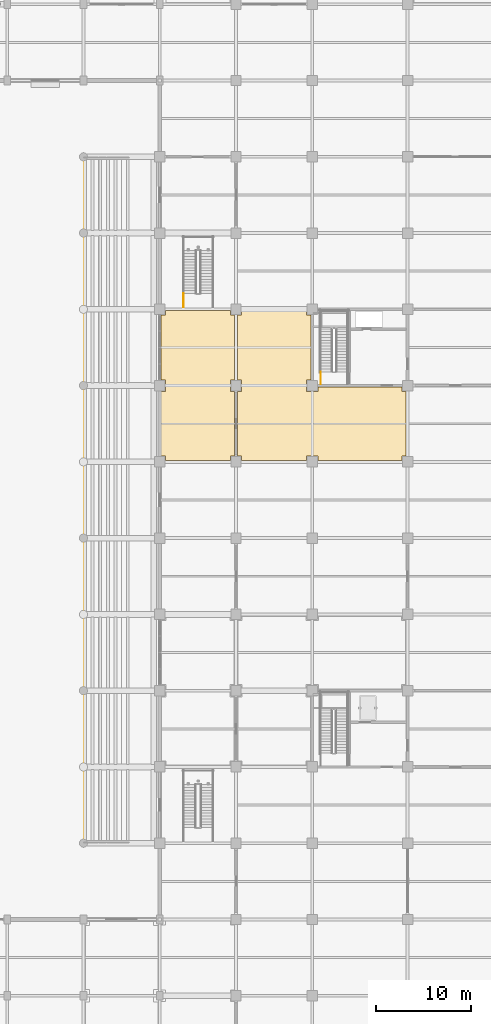
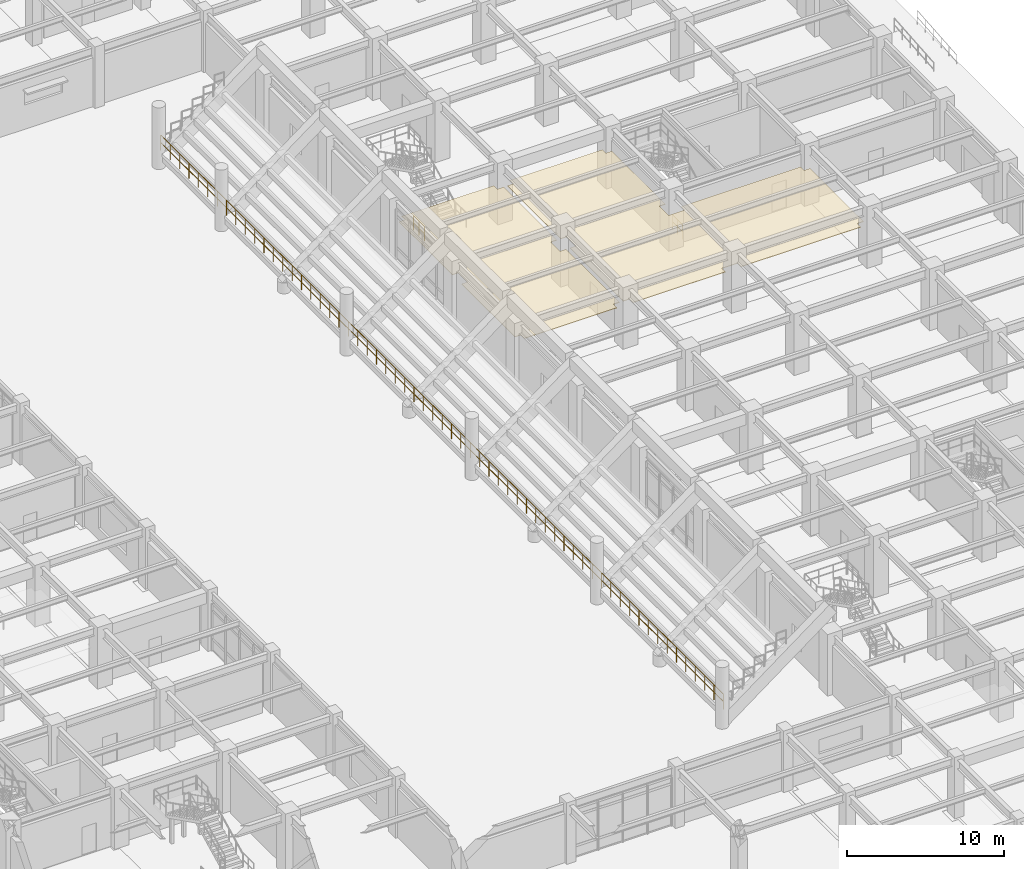
# One storey, part 118 of 125: 3 railings, 2 coverings.
"""IFC4 building model written with IfcOpenShell, lengths in metres."""

import ifcopenshell
import ifcopenshell.guid

model = None  # the IFC model being written
_history = None  # IfcOwnerHistory: only IFC2X3 demands one
_inside = {}  # id of a spatial element -> (the spatial element, [elements in it])
_under = {}  # id of a project, library or spatial element -> (it, [spatial elements below it])
_declared = {}  # id of a project -> (the project, [libraries it declares])
_typed = {}  # id of a type object -> (the type object, [elements of that type])
_made_of = {}  # id of a material, layer set ... -> (it, [elements and type objects made of it])


def new_model(schema):
    """Start an empty IFC model of exactly this schema.

    Asked for "IFC4X3", IfcOpenShell would pick the latest addendum, in which some entities
    have other attributes; the version numbers below select the first issue.
    IFC2X3 requires an IfcOwnerHistory on every rooted entity: one is made here for all.
    """
    global model, _history
    if schema == "IFC4X3":
        model = ifcopenshell.file(schema_version=(4, 3, 0, 0))
    else:
        model = ifcopenshell.file(schema=schema)
    _inside.clear()
    _under.clear()
    _declared.clear()
    _typed.clear()
    _made_of.clear()
    _history = None
    if model.schema == "IFC2X3":
        org = make("IfcOrganization", Name="unknown")
        user = make(
            "IfcPersonAndOrganization",
            ThePerson=make("IfcPerson", FamilyName="unknown"),
            TheOrganization=org,
        )
        app = make(
            "IfcApplication",
            ApplicationDeveloper=org,
            Version="unknown",
            ApplicationFullName="unknown",
            ApplicationIdentifier="unknown",
        )
        _history = make(
            "IfcOwnerHistory",
            OwningUser=user,
            OwningApplication=app,
            ChangeAction="ADDED",
            CreationDate=0,
        )
    return model


def make(cls, **values):
    """One entity of the class cls with the attributes given. An attribute that is None is left unset."""
    return model.create_entity(
        cls, **{name: value for name, value in values.items() if value is not None}
    )


def rooted(cls, **values):
    """An entity with a GlobalId (a new one), such as an element, a storey or a relation."""
    return make(cls, GlobalId=ifcopenshell.guid.new(), OwnerHistory=_history, **values)


def si_unit(unit_type, name, prefix=None):
    """IfcSIUnit, for example si_unit("LENGTHUNIT", "METRE", prefix="MILLI")."""
    return make("IfcSIUnit", UnitType=unit_type, Prefix=prefix, Name=name)


def assignment(units):
    """IfcUnitAssignment: the units of a project."""
    return None if units is None else make("IfcUnitAssignment", Units=units)


def point(xyz):
    """IfcCartesianPoint."""
    return None if xyz is None else make("IfcCartesianPoint", Coordinates=xyz)


def direction(xyz):
    """IfcDirection."""
    return None if xyz is None else make("IfcDirection", DirectionRatios=xyz)


def frame(location, z_axis=None, x_axis=None):
    """IfcAxis2Placement3D, a coordinate frame: its origin and axes. An axis left out is left unset."""
    return make(
        "IfcAxis2Placement3D",
        Location=point(location),
        Axis=direction(z_axis),
        RefDirection=direction(x_axis),
    )


def frame_2d(location, x_axis=None):
    """IfcAxis2Placement2D, a coordinate frame in the plane: its origin and x axis."""
    return make(
        "IfcAxis2Placement2D", Location=point(location), RefDirection=direction(x_axis)
    )


def origin():
    """The frame at (0, 0, 0) with its axes left unset."""
    return frame((0.0, 0.0, 0.0))


def origin_2d():
    """The frame at (0, 0) in the plane with its x axis left unset."""
    return frame_2d((0.0, 0.0))


def place(relative_to, where):
    """IfcLocalPlacement: puts the frame where relative to a parent placement (None: the world)."""
    return make(
        "IfcLocalPlacement", PlacementRelTo=relative_to, RelativePlacement=where
    )


def context(
    kind, dimensions, precision=None, world=None, true_north=None, identifier=None
):
    """IfcGeometricRepresentationContext, for example the 3D "Model" context."""
    return make(
        "IfcGeometricRepresentationContext",
        ContextIdentifier=identifier,
        ContextType=kind,
        CoordinateSpaceDimension=dimensions,
        Precision=precision,
        WorldCoordinateSystem=world,
        TrueNorth=true_north,
    )


def subcontext(parent, identifier, kind, view, scale=None):
    """IfcGeometricRepresentationSubContext, for example "Body" below "Model"."""
    return make(
        "IfcGeometricRepresentationSubContext",
        ContextIdentifier=identifier,
        ContextType=kind,
        ParentContext=parent,
        TargetScale=scale,
        TargetView=view,
    )


def project(units=None, contexts=None):
    """IfcProject with its units and contexts."""
    return rooted(
        "IfcProject",
        Name="project",
        RepresentationContexts=contexts,
        UnitsInContext=assignment(units),
    )


def spatial(cls, under=None, at=None, **own):
    """A site, building, storey or space (cls), placed at a placement, below another one or the project."""
    s = rooted(cls, ObjectPlacement=at, **own)
    if under is not None:
        _under.setdefault(under.id(), (under, []))[1].append(s)
    return s


def polyline(points):
    """IfcPolyline through the points."""
    return make("IfcPolyline", Points=[point(p) for p in points])


def profile(cls, at=None, kind="AREA", **sizes):
    """A parametric profile (cls). Its sizes go by their IFC names, for example OverallWidth=200.0."""
    return make(cls, ProfileType=kind, Position=at, **sizes)


def circle(**sizes):
    """IfcCircleProfileDef."""
    return profile("IfcCircleProfileDef", **sizes)


def outline(outer, holes=None, kind="AREA"):
    """IfcArbitraryClosedProfileDef: a profile drawn as a closed curve; with holes, ...WithVoids."""
    if holes is None:
        return make("IfcArbitraryClosedProfileDef", ProfileType=kind, OuterCurve=outer)
    return make(
        "IfcArbitraryProfileDefWithVoids",
        ProfileType=kind,
        OuterCurve=outer,
        InnerCurves=holes,
    )


def extrude(swept, where, along, depth):
    """IfcExtrudedAreaSolid: the profile swept, set in the frame where, extruded along a direction by depth."""
    return make(
        "IfcExtrudedAreaSolid",
        SweptArea=swept,
        Position=where,
        ExtrudedDirection=direction(along),
        Depth=depth,
    )


def shape(context_of_items, identifier, shape_type, items):
    """IfcShapeRepresentation: the items that make up one representation, for example the "Body"."""
    return make(
        "IfcShapeRepresentation",
        ContextOfItems=context_of_items,
        RepresentationIdentifier=identifier,
        RepresentationType=shape_type,
        Items=items,
    )


def material(Name=None, Category=None):
    """IfcMaterial."""
    return make("IfcMaterial", Name=Name, Category=Category)


def layer(
    of_material, thickness, ventilated=None, Name=None, Category=None, Priority=None
):
    """IfcMaterialLayer: one layer of a wall or slab, of a material (None: an air gap)."""
    return make(
        "IfcMaterialLayer",
        Material=of_material,
        LayerThickness=thickness,
        IsVentilated=ventilated,
        Name=Name,
        Category=Category,
        Priority=Priority,
    )


def layer_set(layers, Name=None):
    """IfcMaterialLayerSet."""
    return make("IfcMaterialLayerSet", MaterialLayers=layers, LayerSetName=Name)


def made_of(thing, what):
    """Note that an element or type object is made of a material, layer set ...; save() writes the relation."""
    if what is not None:
        _made_of.setdefault(what.id(), (what, []))[1].append(thing)
    return thing


def type_object(cls, material=None, **own):
    """A type object (cls), such as IfcWallType, which elements share."""
    return made_of(rooted(cls, **own), material)


def element(
    cls,
    number,
    at=None,
    inside=None,
    cuts=None,
    type_object=None,
    material=None,
    context=None,
    identifier="Body",
    shape_type=None,
    held_by="IfcProductDefinitionShape",
    body=None,
    shapes=None,
    **own,
):
    """One element of the class cls, such as IfcWall. Its Tag is "e" and its number.

    at: its placement. inside: the storey or other place that contains it. cuts: it is an
    opening in that element (IfcRelVoidsElement). A single representation is given by context,
    identifier, shape_type and body (its items); several are given by shapes. held_by: the class
    of the entity that holds the representations. save() writes the other relations.
    """
    e = rooted(cls, Tag="e%d" % number, ObjectPlacement=at, **own)
    if body is not None:
        shapes = [shape(context, identifier, shape_type, body)]
    if shapes is not None:
        e.Representation = make(held_by, Representations=shapes)
    if inside is not None:
        _inside.setdefault(inside.id(), (inside, []))[1].append(e)
    if cuts is not None:
        rooted(
            "IfcRelVoidsElement", RelatingBuildingElement=cuts, RelatedOpeningElement=e
        )
    if type_object is not None:
        _typed.setdefault(type_object.id(), (type_object, []))[1].append(e)
    return made_of(e, material)


def aggregate(whole, parts):
    """IfcRelAggregates: a whole, such as a stair, and the parts it consists of."""
    return rooted("IfcRelAggregates", RelatingObject=whole, RelatedObjects=parts)


def save(model, path):
    """Write the relations noted so far, then the file.

    IfcRelAggregates (storeys below a building ...), IfcRelContainedInSpatialStructure (elements
    in a storey), IfcRelDefinesByType, IfcRelAssociatesMaterial and IfcRelDeclares: one each for
    every whole, place, type object, material and project.
    """
    for whole, parts in _under.values():
        aggregate(whole, parts)
    for where, things in _inside.values():
        rooted(
            "IfcRelContainedInSpatialStructure",
            RelatedElements=things,
            RelatingStructure=where,
        )
    for kind, things in _typed.values():
        rooted("IfcRelDefinesByType", RelatedObjects=things, RelatingType=kind)
    for what, things in _made_of.values():
        rooted("IfcRelAssociatesMaterial", RelatedObjects=things, RelatingMaterial=what)
    for by, libraries in _declared.values():
        rooted("IfcRelDeclares", RelatingContext=by, RelatedDefinitions=libraries)
    model.write(path)


model = new_model("IFC4")

# Units and contexts
model_context = context("Model", 3, precision=1e-05, world=origin(), true_north=direction((0.0, 1.0)))
body_context = subcontext(model_context, "Body", "Model", "MODEL_VIEW")
ifc_project = project(units=[si_unit("LENGTHUNIT", "METRE"), si_unit("AREAUNIT", "SQUARE_METRE"), si_unit("VOLUMEUNIT", "CUBIC_METRE"), si_unit("PLANEANGLEUNIT", "RADIAN"), si_unit("MASSUNIT", "GRAM", prefix="KILO")], contexts=[model_context])

# Site, building, storey
site_placement = place(None, origin())
site = spatial("IfcSite", under=ifc_project, at=site_placement, CompositionType="ELEMENT")
building_placement = place(site_placement, origin())
building = spatial("IfcBuilding", under=site, at=building_placement, Name="Haebicheon Civic Stadium", CompositionType="ELEMENT")
storey_placement = place(building_placement, origin())
storey = spatial("IfcBuildingStorey", under=building, at=storey_placement, Name="L01", CompositionType="ELEMENT", Elevation=0.0)

# Coverings
ifc_material_1 = material(Name="Perforated mineral-fibre acoustic board", Category="gypsum")
ifc_layer = layer(ifc_material_1, 0.0400390625, Name="Perforated mineral-fibre acoustic board")
ifc_layer_set = layer_set([ifc_layer], Name="Perforated mineral-fibre acoustic board")
covering_type = type_object("IfcCoveringType", Name="COV-CLG-AC", PredefinedType="CEILING", material=ifc_layer_set)
covering_1_placement = place(storey_placement, frame((0.0, 0.0, 2.81005859375)))
element("IfcCovering", 1, at=covering_1_placement, inside=storey, type_object=covering_type, material=ifc_layer_set, Name="L01 Community Stand Concourse acoustic ceiling", PredefinedType="CEILING", context=body_context, shape_type="SweptSolid", body=[
    extrude(outline(polyline([(200.594970703125, 96.14501953125), (200.594970703125, 96.594970703125), (200.14501953125, 96.594970703125), (200.14501953125, 103.405029296875), (200.594970703125, 103.405029296875), (200.594970703125, 104.594970703125), (200.14501953125, 104.594970703125), (200.14501953125, 111.405029296875), (200.594970703125, 111.405029296875), (200.594970703125, 111.85498046875), (207.405029296875, 111.85498046875), (207.405029296875, 111.405029296875), (207.85498046875, 111.405029296875), (207.85498046875, 104.594970703125), (207.405029296875, 104.594970703125), (207.405029296875, 103.405029296875), (207.85498046875, 103.405029296875), (207.85498046875, 96.594970703125), (207.405029296875, 96.594970703125), (207.405029296875, 96.14501953125), (200.594970703125, 96.14501953125)])), origin(), (0.0, 0.0, 1.0), 0.0400390625),
])
covering_2_placement = place(storey_placement, frame((0.0, 0.0, 2.81005859375)))
element("IfcCovering", 2, at=covering_2_placement, inside=storey, type_object=covering_type, material=ifc_layer_set, Name="L01 Sports Medicine Clinic acoustic ceiling", PredefinedType="CEILING", context=body_context, shape_type="SweptSolid", body=[
    extrude(outline(polyline([(208.14501953125, 103.405029296875), (208.594970703125, 103.405029296875), (208.594970703125, 104.594970703125), (208.14501953125, 104.594970703125), (208.14501953125, 111.405029296875), (208.594970703125, 111.405029296875), (208.594970703125, 111.85498046875), (215.405029296875, 111.85498046875), (215.405029296875, 111.405029296875), (215.85498046875, 111.405029296875), (215.85498046875, 104.594970703125), (215.405029296875, 104.594970703125), (215.405029296875, 103.405029296875), (216.594970703125, 103.405029296875), (216.594970703125, 103.85498046875), (225.405029296875, 103.85498046875), (225.405029296875, 103.405029296875), (225.85498046875, 103.405029296875), (225.85498046875, 96.594970703125), (225.405029296875, 96.594970703125), (225.405029296875, 96.14501953125), (216.594970703125, 96.14501953125), (216.594970703125, 96.594970703125), (215.405029296875, 96.594970703125), (215.405029296875, 96.14501953125), (208.594970703125, 96.14501953125), (208.594970703125, 96.594970703125), (208.14501953125, 96.594970703125), (208.14501953125, 103.405029296875)])), origin(), (0.0, 0.0, 1.0), 0.0400390625),
])

# Railings
ifc_material_2 = material(Name="Stainless steel 316 and laminated glass", Category="steel")
railing_type_1 = type_object("IfcRailingType", Name="RL-BAL-1200", PredefinedType="BALUSTRADE", material=ifc_material_2)
railing_1_placement = place(storey_placement, frame((192.1201171875, 56.06005859375, 1.199951171875)))
element("IfcRailing", 3, at=railing_1_placement, inside=storey, type_object=railing_type_1, material=ifc_material_2, Name="TIER-C-L pitchside sightline balustrade", PredefinedType="BALUSTRADE", context=body_context, shape_type="SweptSolid", body=[
    extrude(circle(Radius=0.02392578125, at=origin_2d()), frame((0.0, 0.0, 1.17578125), z_axis=(0.0, 1.0, 0.0), x_axis=(-1.0, 0.0, 0.0)), (0.0, 0.0, 1.0), 71.8798828125),
    extrude(circle(Radius=0.02392578125, at=origin_2d()), frame((0.0, 0.0, 0.60009765625), z_axis=(0.0, 1.0, 0.0), x_axis=(-1.0, 0.0, 0.0)), (0.0, 0.0, 1.0), 71.8798828125),
    extrude(circle(Radius=0.02099609375, at=origin_2d()), origin(), (0.0, 0.0, 1.0), 1.15185546875),
    extrude(circle(Radius=0.02099609375, at=origin_2d()), frame((0.0, 1.197998046875, 0.0)), (0.0, 0.0, 1.0), 1.15185546875),
    extrude(circle(Radius=0.02099609375, at=origin_2d()), frame((0.0, 2.39599609375, 0.0)), (0.0, 0.0, 1.0), 1.15185546875),
    extrude(circle(Radius=0.02099609375, at=origin_2d()), frame((0.0, 3.593994140625, 0.0)), (0.0, 0.0, 1.0), 1.15185546875),
    extrude(circle(Radius=0.02099609375, at=origin_2d()), frame((0.0, 4.7919921875, 0.0)), (0.0, 0.0, 1.0), 1.15185546875),
    extrude(circle(Radius=0.02099609375, at=origin_2d()), frame((0.0, 5.989990234375, 0.0)), (0.0, 0.0, 1.0), 1.15185546875),
    extrude(circle(Radius=0.02099609375, at=origin_2d()), frame((0.0, 7.18798828125, 0.0)), (0.0, 0.0, 1.0), 1.15185546875),
    extrude(circle(Radius=0.02099609375, at=origin_2d()), frame((0.0, 8.385986328125, 0.0)), (0.0, 0.0, 1.0), 1.15185546875),
    extrude(circle(Radius=0.02099609375, at=origin_2d()), frame((0.0, 9.583984375, 0.0)), (0.0, 0.0, 1.0), 1.15185546875),
    extrude(circle(Radius=0.02099609375, at=origin_2d()), frame((0.0, 10.781982421875, 0.0)), (0.0, 0.0, 1.0), 1.15185546875),
    extrude(circle(Radius=0.02099609375, at=origin_2d()), frame((0.0, 11.97998046875, 0.0)), (0.0, 0.0, 1.0), 1.15185546875),
    extrude(circle(Radius=0.02099609375, at=origin_2d()), frame((0.0, 13.177978515625, 0.0)), (0.0, 0.0, 1.0), 1.15185546875),
    extrude(circle(Radius=0.02099609375, at=origin_2d()), frame((0.0, 14.3759765625, 0.0)), (0.0, 0.0, 1.0), 1.15185546875),
    extrude(circle(Radius=0.02099609375, at=origin_2d()), frame((0.0, 15.573974609375, 0.0)), (0.0, 0.0, 1.0), 1.15185546875),
    extrude(circle(Radius=0.02099609375, at=origin_2d()), frame((0.0, 16.77197265625, 0.0)), (0.0, 0.0, 1.0), 1.15185546875),
    extrude(circle(Radius=0.02099609375, at=origin_2d()), frame((0.0, 17.969970703125, 0.0)), (0.0, 0.0, 1.0), 1.15185546875),
    extrude(circle(Radius=0.02099609375, at=origin_2d()), frame((0.0, 19.16796875, 0.0)), (0.0, 0.0, 1.0), 1.15185546875),
    extrude(circle(Radius=0.02099609375, at=origin_2d()), frame((0.0, 20.365966796875, 0.0)), (0.0, 0.0, 1.0), 1.15185546875),
    extrude(circle(Radius=0.02099609375, at=origin_2d()), frame((0.0, 21.56396484375, 0.0)), (0.0, 0.0, 1.0), 1.15185546875),
    extrude(circle(Radius=0.02099609375, at=origin_2d()), frame((0.0, 22.761962890625, 0.0)), (0.0, 0.0, 1.0), 1.15185546875),
    extrude(circle(Radius=0.02099609375, at=origin_2d()), frame((0.0, 23.9599609375, 0.0)), (0.0, 0.0, 1.0), 1.15185546875),
    extrude(circle(Radius=0.02099609375, at=origin_2d()), frame((0.0, 25.157958984375, 0.0)), (0.0, 0.0, 1.0), 1.15185546875),
    extrude(circle(Radius=0.02099609375, at=origin_2d()), frame((0.0, 26.35595703125, 0.0)), (0.0, 0.0, 1.0), 1.15185546875),
    extrude(circle(Radius=0.02099609375, at=origin_2d()), frame((0.0, 27.553955078125, 0.0)), (0.0, 0.0, 1.0), 1.15185546875),
    extrude(circle(Radius=0.02099609375, at=origin_2d()), frame((0.0, 28.751953125, 0.0)), (0.0, 0.0, 1.0), 1.15185546875),
    extrude(circle(Radius=0.02099609375, at=origin_2d()), frame((0.0, 29.949951171875, 0.0)), (0.0, 0.0, 1.0), 1.15185546875),
    extrude(circle(Radius=0.02099609375, at=origin_2d()), frame((0.0, 31.14794921875, 0.0)), (0.0, 0.0, 1.0), 1.15185546875),
    extrude(circle(Radius=0.02099609375, at=origin_2d()), frame((0.0, 32.345947265625, 0.0)), (0.0, 0.0, 1.0), 1.15185546875),
    extrude(circle(Radius=0.02099609375, at=origin_2d()), frame((0.0, 33.5439453125, 0.0)), (0.0, 0.0, 1.0), 1.15185546875),
    extrude(circle(Radius=0.02099609375, at=origin_2d()), frame((0.0, 34.741943359375, 0.0)), (0.0, 0.0, 1.0), 1.15185546875),
    extrude(circle(Radius=0.02099609375, at=origin_2d()), frame((0.0, 35.93994140625, 0.0)), (0.0, 0.0, 1.0), 1.15185546875),
    extrude(circle(Radius=0.02099609375, at=origin_2d()), frame((0.0, 37.137939453125, 0.0)), (0.0, 0.0, 1.0), 1.15185546875),
    extrude(circle(Radius=0.02099609375, at=origin_2d()), frame((0.0, 38.3359375, 0.0)), (0.0, 0.0, 1.0), 1.15185546875),
    extrude(circle(Radius=0.02099609375, at=origin_2d()), frame((0.0, 39.533935546875, 0.0)), (0.0, 0.0, 1.0), 1.15185546875),
    extrude(circle(Radius=0.02099609375, at=origin_2d()), frame((0.0, 40.73193359375, 0.0)), (0.0, 0.0, 1.0), 1.15185546875),
    extrude(circle(Radius=0.02099609375, at=origin_2d()), frame((0.0, 41.929931640625, 0.0)), (0.0, 0.0, 1.0), 1.15185546875),
    extrude(circle(Radius=0.02099609375, at=origin_2d()), frame((0.0, 43.1279296875, 0.0)), (0.0, 0.0, 1.0), 1.15185546875),
    extrude(circle(Radius=0.02099609375, at=origin_2d()), frame((0.0, 44.325927734375, 0.0)), (0.0, 0.0, 1.0), 1.15185546875),
    extrude(circle(Radius=0.02099609375, at=origin_2d()), frame((0.0, 45.52392578125, 0.0)), (0.0, 0.0, 1.0), 1.15185546875),
    extrude(circle(Radius=0.02099609375, at=origin_2d()), frame((0.0, 46.721923828125, 0.0)), (0.0, 0.0, 1.0), 1.15185546875),
    extrude(circle(Radius=0.02099609375, at=origin_2d()), frame((0.0, 47.919921875, 0.0)), (0.0, 0.0, 1.0), 1.15185546875),
    extrude(circle(Radius=0.02099609375, at=origin_2d()), frame((0.0, 49.117919921875, 0.0)), (0.0, 0.0, 1.0), 1.15185546875),
    extrude(circle(Radius=0.02099609375, at=origin_2d()), frame((0.0, 50.31591796875, 0.0)), (0.0, 0.0, 1.0), 1.15185546875),
    extrude(circle(Radius=0.02099609375, at=origin_2d()), frame((0.0, 51.513916015625, 0.0)), (0.0, 0.0, 1.0), 1.15185546875),
    extrude(circle(Radius=0.02099609375, at=origin_2d()), frame((0.0, 52.7119140625, 0.0)), (0.0, 0.0, 1.0), 1.15185546875),
    extrude(circle(Radius=0.02099609375, at=origin_2d()), frame((0.0, 53.909912109375, 0.0)), (0.0, 0.0, 1.0), 1.15185546875),
    extrude(circle(Radius=0.02099609375, at=origin_2d()), frame((0.0, 55.10791015625, 0.0)), (0.0, 0.0, 1.0), 1.15185546875),
    extrude(circle(Radius=0.02099609375, at=origin_2d()), frame((0.0, 56.305908203125, 0.0)), (0.0, 0.0, 1.0), 1.15185546875),
    extrude(circle(Radius=0.02099609375, at=origin_2d()), frame((0.0, 57.50390625, 0.0)), (0.0, 0.0, 1.0), 1.15185546875),
    extrude(circle(Radius=0.02099609375, at=origin_2d()), frame((0.0, 58.701904296875, 0.0)), (0.0, 0.0, 1.0), 1.15185546875),
    extrude(circle(Radius=0.02099609375, at=origin_2d()), frame((0.0, 59.89990234375, 0.0)), (0.0, 0.0, 1.0), 1.15185546875),
    extrude(circle(Radius=0.02099609375, at=origin_2d()), frame((0.0, 61.097900390625, 0.0)), (0.0, 0.0, 1.0), 1.15185546875),
    extrude(circle(Radius=0.02099609375, at=origin_2d()), frame((0.0, 62.2958984375, 0.0)), (0.0, 0.0, 1.0), 1.15185546875),
    extrude(circle(Radius=0.02099609375, at=origin_2d()), frame((0.0, 63.493896484375, 0.0)), (0.0, 0.0, 1.0), 1.15185546875),
    extrude(circle(Radius=0.02099609375, at=origin_2d()), frame((0.0, 64.69189453125, 0.0)), (0.0, 0.0, 1.0), 1.15185546875),
    extrude(circle(Radius=0.02099609375, at=origin_2d()), frame((0.0, 65.889892578125, 0.0)), (0.0, 0.0, 1.0), 1.15185546875),
    extrude(circle(Radius=0.02099609375, at=origin_2d()), frame((0.0, 67.087890625, 0.0)), (0.0, 0.0, 1.0), 1.15185546875),
    extrude(circle(Radius=0.02099609375, at=origin_2d()), frame((0.0, 68.285888671875, 0.0)), (0.0, 0.0, 1.0), 1.15185546875),
    extrude(circle(Radius=0.02099609375, at=origin_2d()), frame((0.0, 69.48388671875, 0.0)), (0.0, 0.0, 1.0), 1.15185546875),
    extrude(circle(Radius=0.02099609375, at=origin_2d()), frame((0.0, 70.681884765625, 0.0)), (0.0, 0.0, 1.0), 1.15185546875),
    extrude(circle(Radius=0.02099609375, at=origin_2d()), frame((0.0, 71.8798828125, 0.0)), (0.0, 0.0, 1.0), 1.15185546875),
])
ifc_material_3 = material(Name="Galvanised painted steel SM355", Category="steel")
railing_type_2 = type_object("IfcRailingType", Name="RL-GRD-1150", PredefinedType="GUARDRAIL", material=ifc_material_3)
railing_2_placement = place(storey_placement, frame((216.889892578125, 104.159912109375, 0.0)))
element("IfcRailing", 4, at=railing_2_placement, inside=storey, type_object=railing_type_2, material=ifc_material_3, Name="L01 ST-13 stair guard 9", PredefinedType="GUARDRAIL", context=body_context, shape_type="SweptSolid", body=[
    extrude(circle(Radius=0.02392578125, at=origin_2d()), frame((0.0, 0.0, 1.1259765625), z_axis=(0.0, 1.0, 0.0), x_axis=(-1.0, 0.0, 0.0)), (0.0, 0.0, 1.0), 1.2900390625),
    extrude(circle(Radius=0.02392578125, at=origin_2d()), frame((0.0, 0.0, 0.574951171875), z_axis=(0.0, 1.0, 0.0), x_axis=(-1.0, 0.0, 0.0)), (0.0, 0.0, 1.0), 1.2900390625),
    extrude(circle(Radius=0.02099609375, at=origin_2d()), origin(), (0.0, 0.0, 1.0), 1.101806640625),
    extrude(circle(Radius=0.02099609375, at=origin_2d()), frame((0.0, 0.64501953125, 0.0)), (0.0, 0.0, 1.0), 1.101806640625),
    extrude(circle(Radius=0.02099609375, at=origin_2d()), frame((0.0, 1.2900390625, 0.0)), (0.0, 0.0, 1.0), 1.101806640625),
])
railing_3_placement = place(storey_placement, frame((202.510009765625, 112.25, 0.0)))
element("IfcRailing", 5, at=railing_3_placement, inside=storey, type_object=railing_type_2, material=ifc_material_3, Name="L01 VM-12 stair guard 9", PredefinedType="GUARDRAIL", context=body_context, shape_type="SweptSolid", body=[
    extrude(circle(Radius=0.02392578125, at=origin_2d()), frame((0.0, 0.0, 1.1259765625), z_axis=(0.0, 1.0, 0.0), x_axis=(-1.0, 0.0, 0.0)), (0.0, 0.0, 1.0), 1.39990234375),
    extrude(circle(Radius=0.02392578125, at=origin_2d()), frame((0.0, 0.0, 0.574951171875), z_axis=(0.0, 1.0, 0.0), x_axis=(-1.0, 0.0, 0.0)), (0.0, 0.0, 1.0), 1.39990234375),
    extrude(circle(Radius=0.02099609375, at=origin_2d()), origin(), (0.0, 0.0, 1.0), 1.101806640625),
    extrude(circle(Radius=0.02099609375, at=origin_2d()), frame((0.0, 0.699951171875, 0.0)), (0.0, 0.0, 1.0), 1.101806640625),
    extrude(circle(Radius=0.02099609375, at=origin_2d()), frame((0.0, 1.39990234375, 0.0)), (0.0, 0.0, 1.0), 1.101806640625),
])

save(model, "model.ifc")
